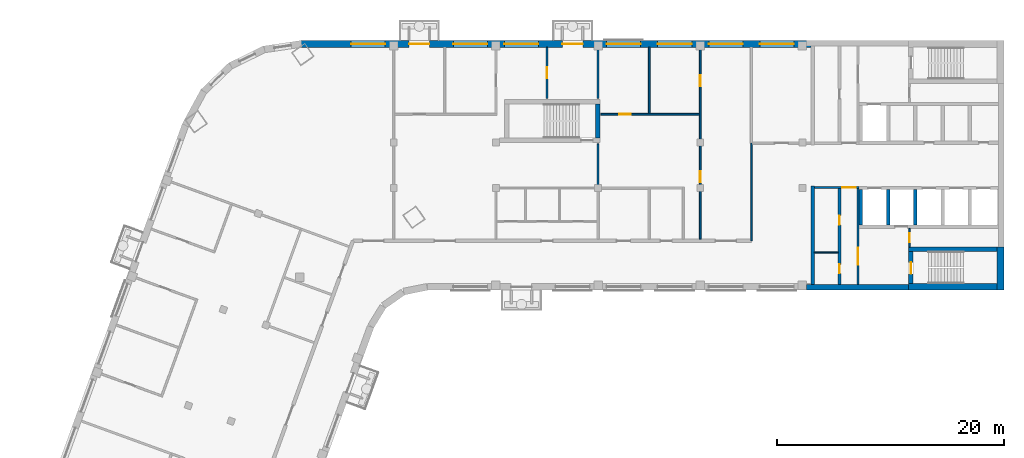
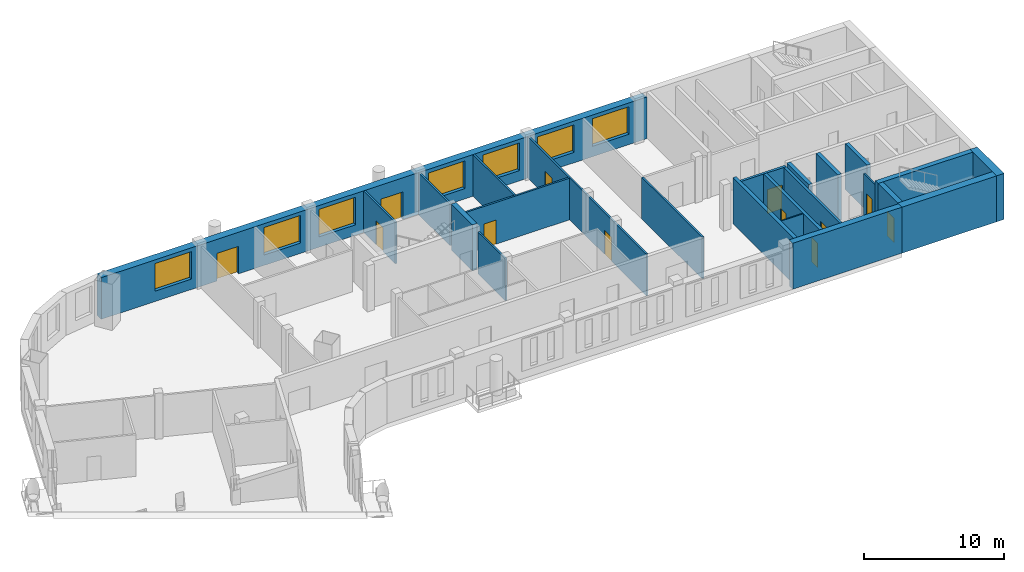
# One storey, part 5 of 10: 23 walls, 12 doors, 7 windows, 19 openings.
"""IFC4 building model written with IfcOpenShell, lengths in metres."""

import ifcopenshell
import ifcopenshell.guid

model = None  # the IFC model being written
_history = None  # IfcOwnerHistory: only IFC2X3 demands one
_inside = {}  # id of a spatial element -> (the spatial element, [elements in it])
_under = {}  # id of a project, library or spatial element -> (it, [spatial elements below it])
_declared = {}  # id of a project -> (the project, [libraries it declares])
_typed = {}  # id of a type object -> (the type object, [elements of that type])
_made_of = {}  # id of a material, layer set ... -> (it, [elements and type objects made of it])


def new_model(schema):
    """Start an empty IFC model of exactly this schema.

    Asked for "IFC4X3", IfcOpenShell would pick the latest addendum, in which some entities
    have other attributes; the version numbers below select the first issue.
    IFC2X3 requires an IfcOwnerHistory on every rooted entity: one is made here for all.
    """
    global model, _history
    if schema == "IFC4X3":
        model = ifcopenshell.file(schema_version=(4, 3, 0, 0))
    else:
        model = ifcopenshell.file(schema=schema)
    _inside.clear()
    _under.clear()
    _declared.clear()
    _typed.clear()
    _made_of.clear()
    _history = None
    if model.schema == "IFC2X3":
        org = make("IfcOrganization", Name="unknown")
        user = make(
            "IfcPersonAndOrganization",
            ThePerson=make("IfcPerson", FamilyName="unknown"),
            TheOrganization=org,
        )
        app = make(
            "IfcApplication",
            ApplicationDeveloper=org,
            Version="unknown",
            ApplicationFullName="unknown",
            ApplicationIdentifier="unknown",
        )
        _history = make(
            "IfcOwnerHistory",
            OwningUser=user,
            OwningApplication=app,
            ChangeAction="ADDED",
            CreationDate=0,
        )
    return model


def make(cls, **values):
    """One entity of the class cls with the attributes given. An attribute that is None is left unset."""
    return model.create_entity(
        cls, **{name: value for name, value in values.items() if value is not None}
    )


def rooted(cls, **values):
    """An entity with a GlobalId (a new one), such as an element, a storey or a relation."""
    return make(cls, GlobalId=ifcopenshell.guid.new(), OwnerHistory=_history, **values)


def si_unit(unit_type, name, prefix=None):
    """IfcSIUnit, for example si_unit("LENGTHUNIT", "METRE", prefix="MILLI")."""
    return make("IfcSIUnit", UnitType=unit_type, Prefix=prefix, Name=name)


def assignment(units):
    """IfcUnitAssignment: the units of a project."""
    return None if units is None else make("IfcUnitAssignment", Units=units)


def point(xyz):
    """IfcCartesianPoint."""
    return None if xyz is None else make("IfcCartesianPoint", Coordinates=xyz)


def direction(xyz):
    """IfcDirection."""
    return None if xyz is None else make("IfcDirection", DirectionRatios=xyz)


def frame(location, z_axis=None, x_axis=None):
    """IfcAxis2Placement3D, a coordinate frame: its origin and axes. An axis left out is left unset."""
    return make(
        "IfcAxis2Placement3D",
        Location=point(location),
        Axis=direction(z_axis),
        RefDirection=direction(x_axis),
    )


def frame_2d(location, x_axis=None):
    """IfcAxis2Placement2D, a coordinate frame in the plane: its origin and x axis."""
    return make(
        "IfcAxis2Placement2D", Location=point(location), RefDirection=direction(x_axis)
    )


def origin():
    """The frame at (0, 0, 0) with its axes left unset."""
    return frame((0.0, 0.0, 0.0))


def place(relative_to, where):
    """IfcLocalPlacement: puts the frame where relative to a parent placement (None: the world)."""
    return make(
        "IfcLocalPlacement", PlacementRelTo=relative_to, RelativePlacement=where
    )


def context(
    kind, dimensions, precision=None, world=None, true_north=None, identifier=None
):
    """IfcGeometricRepresentationContext, for example the 3D "Model" context."""
    return make(
        "IfcGeometricRepresentationContext",
        ContextIdentifier=identifier,
        ContextType=kind,
        CoordinateSpaceDimension=dimensions,
        Precision=precision,
        WorldCoordinateSystem=world,
        TrueNorth=true_north,
    )


def subcontext(parent, identifier, kind, view, scale=None):
    """IfcGeometricRepresentationSubContext, for example "Body" below "Model"."""
    return make(
        "IfcGeometricRepresentationSubContext",
        ContextIdentifier=identifier,
        ContextType=kind,
        ParentContext=parent,
        TargetScale=scale,
        TargetView=view,
    )


def project(units=None, contexts=None):
    """IfcProject with its units and contexts."""
    return rooted(
        "IfcProject",
        Name="project",
        RepresentationContexts=contexts,
        UnitsInContext=assignment(units),
    )


def spatial(cls, under=None, at=None, **own):
    """A site, building, storey or space (cls), placed at a placement, below another one or the project."""
    s = rooted(cls, ObjectPlacement=at, **own)
    if under is not None:
        _under.setdefault(under.id(), (under, []))[1].append(s)
    return s


def profile(cls, at=None, kind="AREA", **sizes):
    """A parametric profile (cls). Its sizes go by their IFC names, for example OverallWidth=200.0."""
    return make(cls, ProfileType=kind, Position=at, **sizes)


def rectangle(**sizes):
    """IfcRectangleProfileDef."""
    return profile("IfcRectangleProfileDef", **sizes)


def extrude(swept, where, along, depth):
    """IfcExtrudedAreaSolid: the profile swept, set in the frame where, extruded along a direction by depth."""
    return make(
        "IfcExtrudedAreaSolid",
        SweptArea=swept,
        Position=where,
        ExtrudedDirection=direction(along),
        Depth=depth,
    )


def shape(context_of_items, identifier, shape_type, items):
    """IfcShapeRepresentation: the items that make up one representation, for example the "Body"."""
    return make(
        "IfcShapeRepresentation",
        ContextOfItems=context_of_items,
        RepresentationIdentifier=identifier,
        RepresentationType=shape_type,
        Items=items,
    )


def material(Name=None, Category=None):
    """IfcMaterial."""
    return make("IfcMaterial", Name=Name, Category=Category)


def layer(
    of_material, thickness, ventilated=None, Name=None, Category=None, Priority=None
):
    """IfcMaterialLayer: one layer of a wall or slab, of a material (None: an air gap)."""
    return make(
        "IfcMaterialLayer",
        Material=of_material,
        LayerThickness=thickness,
        IsVentilated=ventilated,
        Name=Name,
        Category=Category,
        Priority=Priority,
    )


def layer_set(layers, Name=None):
    """IfcMaterialLayerSet."""
    return make("IfcMaterialLayerSet", MaterialLayers=layers, LayerSetName=Name)


def made_of(thing, what):
    """Note that an element or type object is made of a material, layer set ...; save() writes the relation."""
    if what is not None:
        _made_of.setdefault(what.id(), (what, []))[1].append(thing)
    return thing


def type_object(cls, material=None, **own):
    """A type object (cls), such as IfcWallType, which elements share."""
    return made_of(rooted(cls, **own), material)


def element(
    cls,
    number,
    at=None,
    inside=None,
    cuts=None,
    type_object=None,
    material=None,
    context=None,
    identifier="Body",
    shape_type=None,
    held_by="IfcProductDefinitionShape",
    body=None,
    shapes=None,
    **own,
):
    """One element of the class cls, such as IfcWall. Its Tag is "e" and its number.

    at: its placement. inside: the storey or other place that contains it. cuts: it is an
    opening in that element (IfcRelVoidsElement). A single representation is given by context,
    identifier, shape_type and body (its items); several are given by shapes. held_by: the class
    of the entity that holds the representations. save() writes the other relations.
    """
    e = rooted(cls, Tag="e%d" % number, ObjectPlacement=at, **own)
    if body is not None:
        shapes = [shape(context, identifier, shape_type, body)]
    if shapes is not None:
        e.Representation = make(held_by, Representations=shapes)
    if inside is not None:
        _inside.setdefault(inside.id(), (inside, []))[1].append(e)
    if cuts is not None:
        rooted(
            "IfcRelVoidsElement", RelatingBuildingElement=cuts, RelatedOpeningElement=e
        )
    if type_object is not None:
        _typed.setdefault(type_object.id(), (type_object, []))[1].append(e)
    return made_of(e, material)


def fill(opening, filler):
    """IfcRelFillsElement: the door or window that sits in an opening."""
    return rooted(
        "IfcRelFillsElement",
        RelatingOpeningElement=opening,
        RelatedBuildingElement=filler,
    )


def aggregate(whole, parts):
    """IfcRelAggregates: a whole, such as a stair, and the parts it consists of."""
    return rooted("IfcRelAggregates", RelatingObject=whole, RelatedObjects=parts)


def save(model, path):
    """Write the relations noted so far, then the file.

    IfcRelAggregates (storeys below a building ...), IfcRelContainedInSpatialStructure (elements
    in a storey), IfcRelDefinesByType, IfcRelAssociatesMaterial and IfcRelDeclares: one each for
    every whole, place, type object, material and project.
    """
    for whole, parts in _under.values():
        aggregate(whole, parts)
    for where, things in _inside.values():
        rooted(
            "IfcRelContainedInSpatialStructure",
            RelatedElements=things,
            RelatingStructure=where,
        )
    for kind, things in _typed.values():
        rooted("IfcRelDefinesByType", RelatedObjects=things, RelatingType=kind)
    for what, things in _made_of.values():
        rooted("IfcRelAssociatesMaterial", RelatedObjects=things, RelatingMaterial=what)
    for by, libraries in _declared.values():
        rooted("IfcRelDeclares", RelatingContext=by, RelatedDefinitions=libraries)
    model.write(path)


model = new_model("IFC4")

# Units and contexts
model_context = context("Model", 3, precision=1e-05, world=origin(), true_north=direction((0.0, 1.0)))
body_context = subcontext(model_context, "Body", "Model", "MODEL_VIEW")
ifc_project = project(units=[si_unit("LENGTHUNIT", "METRE"), si_unit("AREAUNIT", "SQUARE_METRE"), si_unit("VOLUMEUNIT", "CUBIC_METRE"), si_unit("PLANEANGLEUNIT", "RADIAN"), si_unit("MASSUNIT", "GRAM", prefix="KILO")], contexts=[model_context])

# Site, building, storey
site_placement = place(None, origin())
site = spatial("IfcSite", under=ifc_project, at=site_placement, CompositionType="ELEMENT")
building_placement = place(site_placement, origin())
building = spatial("IfcBuilding", under=site, at=building_placement, Name="Skarvind Civic Tower", CompositionType="ELEMENT")
storey_placement = place(building_placement, frame((0.0, 0.0, 192.0)))
storey = spatial("IfcBuildingStorey", under=building, at=storey_placement, Name="L45", CompositionType="ELEMENT", Elevation=192.0)

# Wall, opening, door
ifc_material_1 = material(Name="Fire-rated masonry partition", Category="masonry")
ifc_layer_1 = layer(ifc_material_1, 0.199951171875)
ifc_layer_set_1 = layer_set([ifc_layer_1], Name="Core enclosure wall 200")
wall_type_1 = type_object("IfcWallType", Name="Core enclosure wall 200", PredefinedType="PARTITIONING", material=ifc_layer_set_1)
wall_1_placement = place(storey_placement, frame((95.25, 126.050048828125, 0.0), z_axis=(0.0, 0.0, 1.0), x_axis=(-1.0, 0.0, 0.0)))
wall_1 = element("IfcWall", 1, at=wall_1_placement, inside=storey, type_object=wall_type_1, Name="Core wall C1", PredefinedType="PARTITIONING", context=body_context, shape_type="SweptSolid", body=[
    extrude(rectangle(XDim=3.949951171875, YDim=0.199951171875, at=frame_2d((1.97509765625, 0.0))), origin(), (0.0, 0.0, 1.0), 3.625),
])
opening_1_placement = place(wall_1_placement, frame((0.300048828125, 0.0, 0.0)))
opening_1 = element("IfcOpeningElement", 2, at=opening_1_placement, cuts=wall_1, Name="Opening D-L45-C1-07", PredefinedType="OPENING", context=body_context, shape_type="SweptSolid", body=[
    extrude(rectangle(XDim=1.199951171875, YDim=2.10009765625, at=frame_2d((0.60009765625, 1.050048828125))), frame((0.0, 0.10986328125, 0.0), z_axis=(0.0, -1.0, 0.0), x_axis=(1.0, 0.0, 0.0)), (0.0, 0.0, 1.0), 0.219970703125),
])
ifc_material_2 = material(Name="Fire-rated steel door", Category="steel")
door_type_1 = type_object("IfcDoorType", Name="Core lobby door 1200", OperationType="NOTDEFINED", PredefinedType="DOOR", material=ifc_material_2)
door_1_placement = place(opening_1_placement, origin())
door_1 = element("IfcDoor", 3, at=door_1_placement, inside=storey, type_object=door_type_1, Name="Fire door", OperationType="DOUBLE_DOOR_SINGLE_SWING", OverallHeight=2.10009765625, OverallWidth=1.199951171875, PredefinedType="DOOR", context=body_context, shape_type="SweptSolid", body=[
    extrude(rectangle(XDim=1.199951171875, YDim=2.10009765625, at=frame_2d((0.60009765625, 1.050048828125))), frame((0.0, 0.02490234375, 0.0), z_axis=(0.0, -1.0, 0.0), x_axis=(1.0, 0.0, 0.0)), (0.0, 0.0, 1.0), 0.050048828125),
])
fill(opening_1, door_1)

wall_2_placement = place(storey_placement, frame((95.14990234375, 117.5, 0.0), z_axis=(0.0, 0.0, 1.0), x_axis=(0.0, 1.0, 0.0)))
wall_2 = element("IfcWall", 4, at=wall_2_placement, inside=storey, type_object=wall_type_1, Name="Core wall C1", PredefinedType="PARTITIONING", context=body_context, shape_type="SweptSolid", body=[
    extrude(rectangle(XDim=8.449951171875, YDim=0.199951171875, at=frame_2d((4.22509765625, 0.0))), origin(), (0.0, 0.0, 1.0), 3.625),
])
opening_2_placement = place(wall_2_placement, frame((1.72509765625, 0.0, 0.0)))
opening_2 = element("IfcOpeningElement", 5, at=opening_2_placement, cuts=wall_2, Name="Opening D-L45-C1-08", PredefinedType="OPENING", context=body_context, shape_type="SweptSolid", body=[
    extrude(rectangle(XDim=1.5, YDim=2.10009765625, at=frame_2d((0.75, 1.050048828125))), frame((0.0, 0.10986328125, 0.0), z_axis=(0.0, -1.0, 0.0), x_axis=(1.0, 0.0, 0.0)), (0.0, 0.0, 1.0), 0.219970703125),
])
door_type_2 = type_object("IfcDoorType", Name="Fire door 1500", OperationType="NOTDEFINED", PredefinedType="DOOR", material=ifc_material_2)
door_2_placement = place(opening_2_placement, origin())
door_2 = element("IfcDoor", 6, at=door_2_placement, inside=storey, type_object=door_type_2, Name="Fire door", OperationType="DOUBLE_DOOR_SINGLE_SWING", OverallHeight=2.10009765625, OverallWidth=1.5, PredefinedType="DOOR", context=body_context, shape_type="SweptSolid", body=[
    extrude(rectangle(XDim=1.5, YDim=2.10009765625, at=frame_2d((0.75, 1.050048828125))), frame((0.0, 0.02490234375, 0.0), z_axis=(0.0, -1.0, 0.0), x_axis=(1.0, 0.0, 0.0)), (0.0, 0.0, 1.0), 0.050048828125),
])
fill(opening_2, door_2)

# Walls
ifc_material_3 = material(Name="Fire-rated plasterboard partition")
ifc_layer_2 = layer(ifc_material_3, 0.10009765625)
ifc_layer_set_2 = layer_set([ifc_layer_2], Name="Core partition wall 100")
wall_type_2 = type_object("IfcWallType", Name="Core partition wall 100", PredefinedType="PARTITIONING", material=ifc_layer_set_2)
wall_3_placement = place(storey_placement, frame((93.39990234375, 120.320068359375, 0.0), z_axis=(0.0, 0.0, 1.0), x_axis=(-1.0, 0.0, 0.0)))
element("IfcWall", 7, at=wall_3_placement, inside=storey, type_object=wall_type_2, Name="Core wall C1", PredefinedType="PARTITIONING", context=body_context, shape_type="SweptSolid", body=[
    extrude(rectangle(XDim=2.099853515625, YDim=0.10009765625, at=frame_2d((1.0498046875, 0.0))), origin(), (0.0, 0.0, 1.0), 3.625),
])
ifc_material_4 = material(Name="Concrete C60", Category="concrete")
ifc_layer_3 = layer(ifc_material_4, 0.300048828125)
ifc_layer_set_3 = layer_set([ifc_layer_3], Name="Core wall 300 C60")
wall_type_3 = type_object("IfcWallType", Name="Core wall 300 C60", PredefinedType="SHEAR", material=ifc_layer_set_3)
for number, where, z_axis, x_axis, name in (
    (8, (100.199951171875, 125.85009765625, 0.0), (0.0, 0.0, 1.0), (0.0, -1.0, 0.0), "Core wall C1 north lift row division 3 L45"),
    (9, (97.800048828125, 125.85009765625, 0.0), (0.0, 0.0, 1.0), (0.0, -1.0, 0.0), "Core wall C1 north lift row division 4 L45"),
    (10, (95.39990234375, 125.85009765625, 0.0), (0.0, 0.0, 1.0), (0.0, -1.0, 0.0), "Core wall C1 north lift row division 5 L45"),
):
    element("IfcWall", number, at=place(storey_placement, frame(where, z_axis=z_axis, x_axis=x_axis)), inside=storey, type_object=wall_type_3, Name=name, PredefinedType="SHEAR", context=body_context, shape_type="SweptSolid", body=[
        extrude(rectangle(XDim=3.10009765625, YDim=0.300048828125, at=frame_2d((1.550048828125, 0.0))), origin(), (0.0, 0.0, 1.0), 4.0),
    ])
wall_4_placement = place(storey_placement, frame((91.14990234375, 126.199951171875, 0.0), z_axis=(0.0, 0.0, 1.0), x_axis=(0.0, -1.0, 0.0)))
element("IfcWall", 11, at=wall_4_placement, inside=storey, type_object=wall_type_3, Name="Core wall C1 north inner face L45", PredefinedType="SHEAR", context=body_context, shape_type="SweptSolid", body=[
    extrude(rectangle(XDim=8.699951171875, YDim=0.300048828125, at=frame_2d((4.35009765625, 0.0))), origin(), (0.0, 0.0, 1.0), 4.0),
])
ifc_layer_4 = layer(ifc_material_4, 0.39990234375)
ifc_layer_set_4 = layer_set([ifc_layer_4], Name="Core wall 400 C60")
wall_type_4 = type_object("IfcWallType", Name="Core wall 400 C60", PredefinedType="SHEAR", material=ifc_layer_set_4)
wall_5_placement = place(storey_placement, frame((107.39990234375, 120.60009765625, 0.0), z_axis=(0.0, 0.0, 1.0), x_axis=(-1.0, 0.0, 0.0)))
element("IfcWall", 12, at=wall_5_placement, inside=storey, type_object=wall_type_4, Name="Core wall C1 north stair inner L45", PredefinedType="SHEAR", context=body_context, shape_type="SweptSolid", body=[
    extrude(rectangle(XDim=7.7998046875, YDim=0.39990234375, at=frame_2d((3.89990234375, 0.0))), origin(), (0.0, 0.0, 1.0), 4.0),
])

# Wall, opening, door
wall_6_placement = place(storey_placement, frame((99.800048828125, 120.39990234375, 0.0), z_axis=(0.0, 0.0, 1.0), x_axis=(0.0, -1.0, 0.0)))
wall_6 = element("IfcWall", 13, at=wall_6_placement, inside=storey, type_object=wall_type_4, Name="Core wall C1 north stair end L45", PredefinedType="SHEAR", context=body_context, shape_type="SweptSolid", body=[
    extrude(rectangle(XDim=2.7998046875, YDim=0.39990234375, at=frame_2d((1.39990234375, 0.0))), origin(), (0.0, 0.0, 1.0), 4.0),
])
opening_3_placement = place(wall_6_placement, frame((0.949951171875, 0.0, 0.0)))
opening_3 = element("IfcOpeningElement", 14, at=opening_3_placement, cuts=wall_6, Name="Opening D-L45-C1-09", PredefinedType="OPENING", context=body_context, shape_type="SweptSolid", body=[
    extrude(rectangle(XDim=1.0, YDim=2.10009765625, at=frame_2d((0.5, 1.050048828125))), frame((0.0, 0.2099609375, 0.0), z_axis=(0.0, -1.0, 0.0), x_axis=(1.0, 0.0, 0.0)), (0.0, 0.0, 1.0), 0.419921875),
])
door_type_3 = type_object("IfcDoorType", Name="Fire door 1000", OperationType="NOTDEFINED", PredefinedType="DOOR", material=ifc_material_2)
door_3_placement = place(opening_3_placement, origin())
door_3 = element("IfcDoor", 15, at=door_3_placement, inside=storey, type_object=door_type_3, Name="Fire door", OperationType="SINGLE_SWING_LEFT", OverallHeight=2.10009765625, OverallWidth=1.0, PredefinedType="DOOR", context=body_context, shape_type="SweptSolid", body=[
    extrude(rectangle(XDim=1.0, YDim=2.10009765625, at=frame_2d((0.5, 1.050048828125))), frame((0.0, 0.02490234375, 0.0), z_axis=(0.0, -1.0, 0.0), x_axis=(1.0, 0.0, 0.0)), (0.0, 0.0, 1.0), 0.050048828125),
])
fill(opening_3, door_3)

# Walls
wall_7_placement = place(storey_placement, frame((72.199951171875, 130.39990234375, 0.0), z_axis=(0.0, 0.0, 1.0), x_axis=(0.0, 1.0, 0.0)))
element("IfcWall", 16, at=wall_7_placement, inside=storey, type_object=wall_type_4, Name="Core wall CM end L45", PredefinedType="SHEAR", context=body_context, shape_type="SweptSolid", body=[
    extrude(rectangle(XDim=3.0, YDim=0.39990234375, at=frame_2d((1.5, 0.0))), origin(), (0.0, 0.0, 1.0), 4.0),
])
ifc_layer_5 = layer(ifc_material_4, 0.5)
ifc_layer_set_5 = layer_set([ifc_layer_5], Name="Core wall 500 C60")
wall_type_5 = type_object("IfcWallType", Name="Core wall 500 C60", PredefinedType="SHEAR", material=ifc_layer_set_5)
wall_8_placement = place(storey_placement, frame((99.60009765625, 117.25, 0.0), z_axis=(0.0, 0.0, 1.0), x_axis=(-1.0, 0.0, 0.0)))
element("IfcWall", 17, at=wall_8_placement, inside=storey, type_object=wall_type_5, Name="Core wall C1 north side L45", PredefinedType="SHEAR", context=body_context, shape_type="SweptSolid", body=[
    extrude(rectangle(XDim=8.97509765625, YDim=0.5, at=frame_2d((4.487548828125, 0.0))), origin(), (0.0, 0.0, 1.0), 4.0),
])
ifc_layer_6 = layer(ifc_material_4, 0.60009765625)
ifc_layer_set_6 = layer_set([ifc_layer_6], Name="Core wall 600 C60")
wall_type_6 = type_object("IfcWallType", Name="Core wall 600 C60", PredefinedType="SHEAR", material=ifc_layer_set_6)
wall_9_placement = place(storey_placement, frame((107.699951171875, 120.800048828125, 0.0), z_axis=(0.0, 0.0, 1.0), x_axis=(0.0, -1.0, 0.0)))
element("IfcWall", 18, at=wall_9_placement, inside=storey, type_object=wall_type_6, Name="Core wall C1 tip at the north stair L45", PredefinedType="SHEAR", context=body_context, shape_type="SweptSolid", body=[
    extrude(rectangle(XDim=3.800048828125, YDim=0.60009765625, at=frame_2d((1.89990234375, 0.0))), origin(), (0.0, 0.0, 1.0), 4.0),
])
wall_10_placement = place(storey_placement, frame((107.39990234375, 117.300048828125, 0.0), z_axis=(0.0, 0.0, 1.0), x_axis=(-1.0, 0.0, 0.0)))
element("IfcWall", 19, at=wall_10_placement, inside=storey, type_object=wall_type_6, Name="Core wall C1 north side at the stair L45", PredefinedType="SHEAR", context=body_context, shape_type="SweptSolid", body=[
    extrude(rectangle(XDim=7.7998046875, YDim=0.60009765625, at=frame_2d((3.89990234375, 0.0))), origin(), (0.0, 0.0, 1.0), 4.0),
])

# Wall, opening, door
ifc_material_5 = material(Name="Plasterboard partition on steel studs", Category="steel")
ifc_layer_7 = layer(ifc_material_5, 0.14990234375)
ifc_layer_set_7 = layer_set([ifc_layer_7], Name="PARTITION 150")
wall_type_7 = type_object("IfcWallType", Name="PARTITION 150", PredefinedType="PARTITIONING", material=ifc_layer_set_7)
wall_11_placement = place(storey_placement, frame((67.75, 133.89990234375, 0.0), z_axis=(0.0, 0.0, 1.0), x_axis=(0.0, 1.0, 0.0)))
wall_11 = element("IfcWall", 20, at=wall_11_placement, inside=storey, type_object=wall_type_7, Name="Partition 45.025", PredefinedType="PARTITIONING", context=body_context, shape_type="SweptSolid", body=[
    extrude(rectangle(XDim=4.5, YDim=0.14990234375, at=frame_2d((2.25, 0.0))), origin(), (0.0, 0.0, 1.0), 3.625),
])
opening_4_placement = place(wall_11_placement, frame((1.75, 0.0, 0.0)))
opening_4 = element("IfcOpeningElement", 21, at=opening_4_placement, cuts=wall_11, Name="Opening L45-D011", PredefinedType="OPENING", context=body_context, shape_type="SweptSolid", body=[
    extrude(rectangle(XDim=1.0, YDim=2.10009765625, at=frame_2d((0.5, 1.050048828125))), frame((0.0, 0.0849609375, 0.0), z_axis=(0.0, -1.0, 0.0), x_axis=(1.0, 0.0, 0.0)), (0.0, 0.0, 1.0), 0.169921875),
])
ifc_material_6 = material(Name="Timber door leaf", Category="wood")
door_type_4 = type_object("IfcDoorType", Name="D1 1000x2100", OperationType="NOTDEFINED", PredefinedType="DOOR", material=ifc_material_6)
door_4_placement = place(opening_4_placement, origin())
door_4 = element("IfcDoor", 22, at=door_4_placement, inside=storey, type_object=door_type_4, Name="Door L45-D011", OperationType="SINGLE_SWING_LEFT", OverallHeight=2.10009765625, OverallWidth=1.0, PredefinedType="DOOR", context=body_context, shape_type="SweptSolid", body=[
    extrude(rectangle(XDim=1.0, YDim=2.10009765625, at=frame_2d((0.5, 1.050048828125))), frame((0.0, 0.02490234375, 0.0), z_axis=(0.0, -1.0, 0.0), x_axis=(1.0, 0.0, 0.0)), (0.0, 0.0, 1.0), 0.050048828125),
])
fill(opening_4, door_4)

# Walls
wall_12_placement = place(storey_placement, frame((72.25, 126.0, 0.0), z_axis=(0.0, 0.0, 1.0), x_axis=(0.0, 1.0, 0.0)))
element("IfcWall", 23, at=wall_12_placement, inside=storey, type_object=wall_type_7, Name="Partition 45.028", PredefinedType="PARTITIONING", context=body_context, shape_type="SweptSolid", body=[
    extrude(rectangle(XDim=3.89990234375, YDim=0.14990234375, at=frame_2d((1.949951171875, 0.0))), origin(), (0.0, 0.0, 1.0), 3.625),
])
wall_13_placement = place(storey_placement, frame((72.25, 133.89990234375, 0.0), z_axis=(0.0, 0.0, 1.0), x_axis=(0.0, 1.0, 0.0)))
element("IfcWall", 24, at=wall_13_placement, inside=storey, type_object=wall_type_7, Name="Partition 45.030", PredefinedType="PARTITIONING", context=body_context, shape_type="SweptSolid", body=[
    extrude(rectangle(XDim=4.5, YDim=0.14990234375, at=frame_2d((2.25, 0.0))), origin(), (0.0, 0.0, 1.0), 3.625),
])

# Wall, opening, door
wall_14_placement = place(storey_placement, frame((81.175048828125, 132.5, 0.0), z_axis=(0.0, 0.0, 1.0), x_axis=(-1.0, 0.0, 0.0)))
wall_14 = element("IfcWall", 25, at=wall_14_placement, inside=storey, type_object=wall_type_7, Name="Partition 45.031", PredefinedType="PARTITIONING", context=body_context, shape_type="SweptSolid", body=[
    extrude(rectangle(XDim=8.675048828125, YDim=0.14990234375, at=frame_2d((4.33740234375, 0.0))), origin(), (0.0, 0.0, 1.0), 3.625),
])
opening_5_placement = place(wall_14_placement, frame((6.050048828125, 0.0, 0.0)))
opening_5 = element("IfcOpeningElement", 26, at=opening_5_placement, cuts=wall_14, Name="Opening L45-D005", PredefinedType="OPENING", context=body_context, shape_type="SweptSolid", body=[
    extrude(rectangle(XDim=1.0, YDim=2.10009765625, at=frame_2d((0.5, 1.050048828125))), frame((0.0, 0.0849609375, 0.0), z_axis=(0.0, -1.0, 0.0), x_axis=(1.0, 0.0, 0.0)), (0.0, 0.0, 1.0), 0.169921875),
])
door_5_placement = place(opening_5_placement, origin())
door_5 = element("IfcDoor", 27, at=door_5_placement, inside=storey, type_object=door_type_4, Name="Door L45-D005", OperationType="SINGLE_SWING_RIGHT", OverallHeight=2.10009765625, OverallWidth=1.0, PredefinedType="DOOR", context=body_context, shape_type="SweptSolid", body=[
    extrude(rectangle(XDim=1.0, YDim=2.10009765625, at=frame_2d((0.5, 1.050048828125))), frame((0.0, 0.02490234375, 0.0), z_axis=(0.0, -1.0, 0.0), x_axis=(1.0, 0.0, 0.0)), (0.0, 0.0, 1.0), 0.050048828125),
])
fill(opening_5, door_5)

# Wall
wall_15_placement = place(storey_placement, frame((76.75, 132.574951171875, 0.0), z_axis=(0.0, 0.0, 1.0), x_axis=(0.0, 1.0, 0.0)))
element("IfcWall", 28, at=wall_15_placement, inside=storey, type_object=wall_type_7, Name="Partition 45.033", PredefinedType="PARTITIONING", context=body_context, shape_type="SweptSolid", body=[
    extrude(rectangle(XDim=5.824951171875, YDim=0.14990234375, at=frame_2d((2.91259765625, 0.0))), origin(), (0.0, 0.0, 1.0), 3.625),
])

# Wall, openings, doors
wall_16_placement = place(storey_placement, frame((81.25, 138.39990234375, 0.0), z_axis=(0.0, 0.0, 1.0), x_axis=(0.0, -1.0, 0.0)))
wall_16 = element("IfcWall", 29, at=wall_16_placement, inside=storey, type_object=wall_type_7, Name="Partition 45.036", PredefinedType="PARTITIONING", context=body_context, shape_type="SweptSolid", body=[
    extrude(rectangle(XDim=16.89990234375, YDim=0.14990234375, at=frame_2d((8.449951171875, 0.0))), origin(), (0.0, 0.0, 1.0), 3.625),
])
opening_6_placement = place(wall_16_placement, frame((2.449951171875, 0.0, 0.0)))
opening_6 = element("IfcOpeningElement", 30, at=opening_6_placement, cuts=wall_16, Name="Opening L45-D004", PredefinedType="OPENING", context=body_context, shape_type="SweptSolid", body=[
    extrude(rectangle(XDim=1.0, YDim=2.10009765625, at=frame_2d((0.5, 1.050048828125))), frame((0.0, 0.0849609375, 0.0), z_axis=(0.0, -1.0, 0.0), x_axis=(1.0, 0.0, 0.0)), (0.0, 0.0, 1.0), 0.169921875),
])
opening_7_placement = place(wall_16_placement, frame((10.909912109375, 0.0, 0.0)))
opening_7 = element("IfcOpeningElement", 31, at=opening_7_placement, cuts=wall_16, Name="Opening L45-D023", PredefinedType="OPENING", context=body_context, shape_type="SweptSolid", body=[
    extrude(rectangle(XDim=1.0, YDim=2.10009765625, at=frame_2d((0.5, 1.050048828125))), frame((0.0, 0.0849609375, 0.0), z_axis=(0.0, -1.0, 0.0), x_axis=(1.0, 0.0, 0.0)), (0.0, 0.0, 1.0), 0.169921875),
])
door_6_placement = place(opening_6_placement, origin())
door_6 = element("IfcDoor", 32, at=door_6_placement, inside=storey, type_object=door_type_4, Name="Door L45-D004", OperationType="SINGLE_SWING_LEFT", OverallHeight=2.10009765625, OverallWidth=1.0, PredefinedType="DOOR", context=body_context, shape_type="SweptSolid", body=[
    extrude(rectangle(XDim=1.0, YDim=2.10009765625, at=frame_2d((0.5, 1.050048828125))), frame((0.0, 0.02490234375, 0.0), z_axis=(0.0, -1.0, 0.0), x_axis=(1.0, 0.0, 0.0)), (0.0, 0.0, 1.0), 0.050048828125),
])
fill(opening_6, door_6)
door_7_placement = place(opening_7_placement, origin())
door_7 = element("IfcDoor", 33, at=door_7_placement, inside=storey, type_object=door_type_4, Name="Door L45-D023", OperationType="SINGLE_SWING_RIGHT", OverallHeight=2.10009765625, OverallWidth=1.0, PredefinedType="DOOR", context=body_context, shape_type="SweptSolid", body=[
    extrude(rectangle(XDim=1.0, YDim=2.10009765625, at=frame_2d((0.5, 1.050048828125))), frame((0.0, 0.02490234375, 0.0), z_axis=(0.0, -1.0, 0.0), x_axis=(1.0, 0.0, 0.0)), (0.0, 0.0, 1.0), 0.050048828125),
])
fill(opening_7, door_7)

# Wall
wall_17_placement = place(storey_placement, frame((85.75, 121.35009765625, 0.0), z_axis=(0.0, 0.0, 1.0), x_axis=(0.0, 1.0, 0.0)))
element("IfcWall", 34, at=wall_17_placement, inside=storey, type_object=wall_type_7, Name="Partition 45.037", PredefinedType="PARTITIONING", context=body_context, shape_type="SweptSolid", body=[
    extrude(rectangle(XDim=8.599853515625, YDim=0.14990234375, at=frame_2d((4.2998046875, 0.0))), origin(), (0.0, 0.0, 1.0), 3.625),
])

# Wall, opening, door
ifc_layer_8 = layer(ifc_material_1, 0.125)
ifc_layer_set_8 = layer_set([ifc_layer_8], Name="Riser wall 125")
wall_type_8 = type_object("IfcWallType", Name="Riser wall 125", PredefinedType="PARTITIONING", material=ifc_layer_set_8)
wall_18_placement = place(storey_placement, frame((99.66259765625, 120.800048828125, 0.0), z_axis=(0.0, 0.0, 1.0), x_axis=(0.0, 1.0, 0.0)))
wall_18 = element("IfcWall", 35, at=wall_18_placement, inside=storey, type_object=wall_type_8, Name="Core wall C1", PredefinedType="PARTITIONING", context=body_context, shape_type="SweptSolid", body=[
    extrude(rectangle(XDim=1.64990234375, YDim=0.125, at=frame_2d((0.824951171875, 0.0))), origin(), (0.0, 0.0, 1.0), 3.625),
])
opening_8_placement = place(wall_18_placement, frame((0.425048828125, 0.0, 0.0)))
opening_8 = element("IfcOpeningElement", 36, at=opening_8_placement, cuts=wall_18, Name="Opening D-L45-C1-10", PredefinedType="OPENING", context=body_context, shape_type="SweptSolid", body=[
    extrude(rectangle(XDim=0.800048828125, YDim=2.10009765625, at=frame_2d((0.39990234375, 1.050048828125))), frame((0.0, 0.072509765625, 0.0), z_axis=(0.0, -1.0, 0.0), x_axis=(1.0, 0.0, 0.0)), (0.0, 0.0, 1.0), 0.14501953125),
])
door_type_5 = type_object("IfcDoorType", Name="Core riser door 800", OperationType="NOTDEFINED", PredefinedType="DOOR", material=ifc_material_2)
door_8_placement = place(opening_8_placement, origin())
door_8 = element("IfcDoor", 37, at=door_8_placement, inside=storey, type_object=door_type_5, Name="Riser door", OperationType="SINGLE_SWING_RIGHT", OverallHeight=2.10009765625, OverallWidth=0.800048828125, PredefinedType="DOOR", context=body_context, shape_type="SweptSolid", body=[
    extrude(rectangle(XDim=0.800048828125, YDim=2.10009765625, at=frame_2d((0.39990234375, 1.050048828125))), frame((0.0, 0.02490234375, 0.0), z_axis=(0.0, -1.0, 0.0), x_axis=(1.0, 0.0, 0.0)), (0.0, 0.0, 1.0), 0.050048828125),
])
fill(opening_8, door_8)

# Wall, openings, doors
ifc_layer_9 = layer(ifc_material_1, 0.25)
ifc_layer_set_9 = layer_set([ifc_layer_9], Name="Service block wall 250")
wall_type_9 = type_object("IfcWallType", Name="Service block wall 250", PredefinedType="PARTITIONING", material=ifc_layer_set_9)
wall_19_placement = place(storey_placement, frame((93.52490234375, 117.5, 0.0), z_axis=(0.0, 0.0, 1.0), x_axis=(0.0, 1.0, 0.0)))
wall_19 = element("IfcWall", 38, at=wall_19_placement, inside=storey, type_object=wall_type_9, Name="Core wall C1", PredefinedType="PARTITIONING", context=body_context, shape_type="SweptSolid", body=[
    extrude(rectangle(XDim=8.449951171875, YDim=0.25, at=frame_2d((4.22509765625, 0.0))), origin(), (0.0, 0.0, 1.0), 3.625),
])
opening_9_placement = place(wall_19_placement, frame((5.260009765625, 0.0, 0.0)))
opening_9 = element("IfcOpeningElement", 39, at=opening_9_placement, cuts=wall_19, Name="Opening D-L45-C1-11", PredefinedType="OPENING", context=body_context, shape_type="SweptSolid", body=[
    extrude(rectangle(XDim=0.800048828125, YDim=2.10009765625, at=frame_2d((0.39990234375, 1.050048828125))), frame((0.0, 0.135009765625, 0.0), z_axis=(0.0, -1.0, 0.0), x_axis=(1.0, 0.0, 0.0)), (0.0, 0.0, 1.0), 0.27001953125),
])
opening_10_placement = place(wall_19_placement, frame((0.985107421875, 0.0, 0.0)))
opening_10 = element("IfcOpeningElement", 40, at=opening_10_placement, cuts=wall_19, Name="Opening D-L45-C1-12", PredefinedType="OPENING", context=body_context, shape_type="SweptSolid", body=[
    extrude(rectangle(XDim=0.800048828125, YDim=2.10009765625, at=frame_2d((0.39990234375, 1.050048828125))), frame((0.0, 0.135009765625, 0.0), z_axis=(0.0, -1.0, 0.0), x_axis=(1.0, 0.0, 0.0)), (0.0, 0.0, 1.0), 0.27001953125),
])
door_9_placement = place(opening_9_placement, origin())
door_9 = element("IfcDoor", 41, at=door_9_placement, inside=storey, type_object=door_type_5, Name="Riser door", OperationType="SINGLE_SWING_LEFT", OverallHeight=2.10009765625, OverallWidth=0.800048828125, PredefinedType="DOOR", context=body_context, shape_type="SweptSolid", body=[
    extrude(rectangle(XDim=0.800048828125, YDim=2.10009765625, at=frame_2d((0.39990234375, 1.050048828125))), frame((0.0, 0.02490234375, 0.0), z_axis=(0.0, -1.0, 0.0), x_axis=(1.0, 0.0, 0.0)), (0.0, 0.0, 1.0), 0.050048828125),
])
fill(opening_9, door_9)
door_10_placement = place(opening_10_placement, origin())
door_10 = element("IfcDoor", 42, at=door_10_placement, inside=storey, type_object=door_type_5, Name="Riser door", OperationType="SINGLE_SWING_RIGHT", OverallHeight=2.10009765625, OverallWidth=0.800048828125, PredefinedType="DOOR", context=body_context, shape_type="SweptSolid", body=[
    extrude(rectangle(XDim=0.800048828125, YDim=2.10009765625, at=frame_2d((0.39990234375, 1.050048828125))), frame((0.0, 0.02490234375, 0.0), z_axis=(0.0, -1.0, 0.0), x_axis=(1.0, 0.0, 0.0)), (0.0, 0.0, 1.0), 0.050048828125),
])
fill(opening_10, door_10)

# Wall, openings, doors, windows
ifc_material_7 = material(Name="Limestone masonry cladding on insulated backing", Category="masonry")
ifc_layer_10 = layer(ifc_material_7, 0.60009765625)
ifc_layer_set_10 = layer_set([ifc_layer_10], Name="WX1 STONE FACADE WALL 600")
wall_type_10 = type_object("IfcWallType", Name="WX1 STONE FACADE WALL 600", PredefinedType="SOLIDWALL", material=ifc_layer_set_10)
wall_20_placement = place(storey_placement, frame((46.095458984375, 138.699951171875, 0.0), z_axis=(0.0, 0.0, 1.0), x_axis=(1.0, 0.0, 0.0)))
wall_20 = element("IfcWall", 43, at=wall_20_placement, inside=storey, type_object=wall_type_10, Name="STONE FACADE WALL", PredefinedType="SOLIDWALL", context=body_context, shape_type="SweptSolid", body=[
    extrude(rectangle(XDim=44.884521484375, YDim=0.60009765625, at=frame_2d((22.4423828125, 0.0))), origin(), (0.0, 0.0, 1.0), 3.625),
])
opening_11_placement = place(wall_20_placement, frame((4.404541015625, 0.0, 0.89990234375)))
opening_11 = element("IfcOpeningElement", 44, at=opening_11_placement, cuts=wall_20, Name="Opening WN1", PredefinedType="OPENING", context=body_context, shape_type="SweptSolid", body=[
    extrude(rectangle(XDim=3.0, YDim=2.39990234375, at=frame_2d((1.5, 1.199951171875))), frame((0.0, 0.31005859375, 0.0), z_axis=(0.0, -1.0, 0.0), x_axis=(1.0, 0.0, 0.0)), (0.0, 0.0, 1.0), 0.6201171875),
])
opening_12_placement = place(wall_20_placement, frame((9.50439453125, 0.0, 0.0)))
opening_12 = element("IfcOpeningElement", 45, at=opening_12_placement, cuts=wall_20, Name="Opening DX3", PredefinedType="OPENING", context=body_context, shape_type="SweptSolid", body=[
    extrude(rectangle(XDim=1.800048828125, YDim=2.39990234375, at=frame_2d((0.89990234375, 1.199951171875))), frame((0.0, 0.31005859375, 0.0), z_axis=(0.0, -1.0, 0.0), x_axis=(1.0, 0.0, 0.0)), (0.0, 0.0, 1.0), 0.6201171875),
])
opening_13_placement = place(wall_20_placement, frame((13.404541015625, 0.0, 0.89990234375)))
opening_13 = element("IfcOpeningElement", 46, at=opening_13_placement, cuts=wall_20, Name="Opening WN1", PredefinedType="OPENING", context=body_context, shape_type="SweptSolid", body=[
    extrude(rectangle(XDim=3.0, YDim=2.39990234375, at=frame_2d((1.5, 1.199951171875))), frame((0.0, 0.31005859375, 0.0), z_axis=(0.0, -1.0, 0.0), x_axis=(1.0, 0.0, 0.0)), (0.0, 0.0, 1.0), 0.6201171875),
])
opening_14_placement = place(wall_20_placement, frame((17.904541015625, 0.0, 0.89990234375)))
opening_14 = element("IfcOpeningElement", 47, at=opening_14_placement, cuts=wall_20, Name="Opening WN1", PredefinedType="OPENING", context=body_context, shape_type="SweptSolid", body=[
    extrude(rectangle(XDim=3.0, YDim=2.39990234375, at=frame_2d((1.5, 1.199951171875))), frame((0.0, 0.31005859375, 0.0), z_axis=(0.0, -1.0, 0.0), x_axis=(1.0, 0.0, 0.0)), (0.0, 0.0, 1.0), 0.6201171875),
])
opening_15_placement = place(wall_20_placement, frame((23.00439453125, 0.0, 0.0)))
opening_15 = element("IfcOpeningElement", 48, at=opening_15_placement, cuts=wall_20, Name="Opening DX3", PredefinedType="OPENING", context=body_context, shape_type="SweptSolid", body=[
    extrude(rectangle(XDim=1.800048828125, YDim=2.39990234375, at=frame_2d((0.89990234375, 1.199951171875))), frame((0.0, 0.31005859375, 0.0), z_axis=(0.0, -1.0, 0.0), x_axis=(1.0, 0.0, 0.0)), (0.0, 0.0, 1.0), 0.6201171875),
])
opening_16_placement = place(wall_20_placement, frame((26.904541015625, 0.0, 0.89990234375)))
opening_16 = element("IfcOpeningElement", 49, at=opening_16_placement, cuts=wall_20, Name="Opening WN1", PredefinedType="OPENING", context=body_context, shape_type="SweptSolid", body=[
    extrude(rectangle(XDim=3.0, YDim=2.39990234375, at=frame_2d((1.5, 1.199951171875))), frame((0.0, 0.31005859375, 0.0), z_axis=(0.0, -1.0, 0.0), x_axis=(1.0, 0.0, 0.0)), (0.0, 0.0, 1.0), 0.6201171875),
])
opening_17_placement = place(wall_20_placement, frame((31.404541015625, 0.0, 0.89990234375)))
opening_17 = element("IfcOpeningElement", 50, at=opening_17_placement, cuts=wall_20, Name="Opening WN1", PredefinedType="OPENING", context=body_context, shape_type="SweptSolid", body=[
    extrude(rectangle(XDim=3.0, YDim=2.39990234375, at=frame_2d((1.5, 1.199951171875))), frame((0.0, 0.31005859375, 0.0), z_axis=(0.0, -1.0, 0.0), x_axis=(1.0, 0.0, 0.0)), (0.0, 0.0, 1.0), 0.6201171875),
])
opening_18_placement = place(wall_20_placement, frame((35.904541015625, 0.0, 0.89990234375)))
opening_18 = element("IfcOpeningElement", 51, at=opening_18_placement, cuts=wall_20, Name="Opening WN1", PredefinedType="OPENING", context=body_context, shape_type="SweptSolid", body=[
    extrude(rectangle(XDim=3.0, YDim=2.39990234375, at=frame_2d((1.5, 1.199951171875))), frame((0.0, 0.31005859375, 0.0), z_axis=(0.0, -1.0, 0.0), x_axis=(1.0, 0.0, 0.0)), (0.0, 0.0, 1.0), 0.6201171875),
])
opening_19_placement = place(wall_20_placement, frame((40.404541015625, 0.0, 0.89990234375)))
opening_19 = element("IfcOpeningElement", 52, at=opening_19_placement, cuts=wall_20, Name="Opening WN1", PredefinedType="OPENING", context=body_context, shape_type="SweptSolid", body=[
    extrude(rectangle(XDim=3.0, YDim=2.39990234375, at=frame_2d((1.5, 1.199951171875))), frame((0.0, 0.31005859375, 0.0), z_axis=(0.0, -1.0, 0.0), x_axis=(1.0, 0.0, 0.0)), (0.0, 0.0, 1.0), 0.6201171875),
])
ifc_material_8 = material(Name="Timber and glass doorset", Category="wood")
door_type_6 = type_object("IfcDoorType", Name="DX3 TERRACE DOORS 1800 x 2400", OperationType="NOTDEFINED", PredefinedType="DOOR", material=ifc_material_8)
door_11_placement = place(opening_12_placement, origin())
door_11 = element("IfcDoor", 53, at=door_11_placement, inside=storey, type_object=door_type_6, Name="TERRACE DOORS", OperationType="DOUBLE_DOOR_SINGLE_SWING", OverallHeight=2.39990234375, OverallWidth=1.800048828125, PredefinedType="DOOR", context=body_context, shape_type="SweptSolid", body=[
    extrude(rectangle(XDim=1.800048828125, YDim=2.39990234375, at=frame_2d((0.89990234375, 1.199951171875))), frame((0.0, 0.02490234375, 0.0), z_axis=(0.0, -1.0, 0.0), x_axis=(1.0, 0.0, 0.0)), (0.0, 0.0, 1.0), 0.050048828125),
])
fill(opening_12, door_11)
door_12_placement = place(opening_15_placement, origin())
door_12 = element("IfcDoor", 54, at=door_12_placement, inside=storey, type_object=door_type_6, Name="TERRACE DOORS", OperationType="DOUBLE_DOOR_SINGLE_SWING", OverallHeight=2.39990234375, OverallWidth=1.800048828125, PredefinedType="DOOR", context=body_context, shape_type="SweptSolid", body=[
    extrude(rectangle(XDim=1.800048828125, YDim=2.39990234375, at=frame_2d((0.89990234375, 1.199951171875))), frame((0.0, 0.02490234375, 0.0), z_axis=(0.0, -1.0, 0.0), x_axis=(1.0, 0.0, 0.0)), (0.0, 0.0, 1.0), 0.050048828125),
])
fill(opening_15, door_12)
ifc_material_9 = material(Name="Timber frame, double glazing, timber-lined reveal", Category="wood")
window_type = type_object("IfcWindowType", Name="WN1 PUNCHED STONE WINDOW 3000 x 2400", PartitioningType="SINGLE_PANEL", PredefinedType="WINDOW", material=ifc_material_9)
window_1_placement = place(opening_11_placement, origin())
window_1 = element("IfcWindow", 55, at=window_1_placement, inside=storey, type_object=window_type, Name="WN1 WINDOW", OverallHeight=2.39990234375, OverallWidth=3.0, PartitioningType="SINGLE_PANEL", PredefinedType="WINDOW", context=body_context, shape_type="SweptSolid", body=[
    extrude(rectangle(XDim=3.0, YDim=2.39990234375, at=frame_2d((1.5, 1.199951171875))), frame((0.0, 0.030029296875, 0.0), z_axis=(0.0, -1.0, 0.0), x_axis=(1.0, 0.0, 0.0)), (0.0, 0.0, 1.0), 0.06005859375),
])
fill(opening_11, window_1)
window_2_placement = place(opening_13_placement, origin())
window_2 = element("IfcWindow", 56, at=window_2_placement, inside=storey, type_object=window_type, Name="WN1 WINDOW", OverallHeight=2.39990234375, OverallWidth=3.0, PartitioningType="SINGLE_PANEL", PredefinedType="WINDOW", context=body_context, shape_type="SweptSolid", body=[
    extrude(rectangle(XDim=3.0, YDim=2.39990234375, at=frame_2d((1.5, 1.199951171875))), frame((0.0, 0.030029296875, 0.0), z_axis=(0.0, -1.0, 0.0), x_axis=(1.0, 0.0, 0.0)), (0.0, 0.0, 1.0), 0.06005859375),
])
fill(opening_13, window_2)
window_3_placement = place(opening_14_placement, origin())
window_3 = element("IfcWindow", 57, at=window_3_placement, inside=storey, type_object=window_type, Name="WN1 WINDOW", OverallHeight=2.39990234375, OverallWidth=3.0, PartitioningType="SINGLE_PANEL", PredefinedType="WINDOW", context=body_context, shape_type="SweptSolid", body=[
    extrude(rectangle(XDim=3.0, YDim=2.39990234375, at=frame_2d((1.5, 1.199951171875))), frame((0.0, 0.030029296875, 0.0), z_axis=(0.0, -1.0, 0.0), x_axis=(1.0, 0.0, 0.0)), (0.0, 0.0, 1.0), 0.06005859375),
])
fill(opening_14, window_3)
window_4_placement = place(opening_16_placement, origin())
window_4 = element("IfcWindow", 58, at=window_4_placement, inside=storey, type_object=window_type, Name="WN1 WINDOW", OverallHeight=2.39990234375, OverallWidth=3.0, PartitioningType="SINGLE_PANEL", PredefinedType="WINDOW", context=body_context, shape_type="SweptSolid", body=[
    extrude(rectangle(XDim=3.0, YDim=2.39990234375, at=frame_2d((1.5, 1.199951171875))), frame((0.0, 0.030029296875, 0.0), z_axis=(0.0, -1.0, 0.0), x_axis=(1.0, 0.0, 0.0)), (0.0, 0.0, 1.0), 0.06005859375),
])
fill(opening_16, window_4)
window_5_placement = place(opening_17_placement, origin())
window_5 = element("IfcWindow", 59, at=window_5_placement, inside=storey, type_object=window_type, Name="WN1 WINDOW", OverallHeight=2.39990234375, OverallWidth=3.0, PartitioningType="SINGLE_PANEL", PredefinedType="WINDOW", context=body_context, shape_type="SweptSolid", body=[
    extrude(rectangle(XDim=3.0, YDim=2.39990234375, at=frame_2d((1.5, 1.199951171875))), frame((0.0, 0.030029296875, 0.0), z_axis=(0.0, -1.0, 0.0), x_axis=(1.0, 0.0, 0.0)), (0.0, 0.0, 1.0), 0.06005859375),
])
fill(opening_17, window_5)
window_6_placement = place(opening_18_placement, origin())
window_6 = element("IfcWindow", 60, at=window_6_placement, inside=storey, type_object=window_type, Name="WN1 WINDOW", OverallHeight=2.39990234375, OverallWidth=3.0, PartitioningType="SINGLE_PANEL", PredefinedType="WINDOW", context=body_context, shape_type="SweptSolid", body=[
    extrude(rectangle(XDim=3.0, YDim=2.39990234375, at=frame_2d((1.5, 1.199951171875))), frame((0.0, 0.030029296875, 0.0), z_axis=(0.0, -1.0, 0.0), x_axis=(1.0, 0.0, 0.0)), (0.0, 0.0, 1.0), 0.06005859375),
])
fill(opening_18, window_6)
window_7_placement = place(opening_19_placement, origin())
window_7 = element("IfcWindow", 61, at=window_7_placement, inside=storey, type_object=window_type, Name="WN1 WINDOW", OverallHeight=2.39990234375, OverallWidth=3.0, PartitioningType="SINGLE_PANEL", PredefinedType="WINDOW", context=body_context, shape_type="SweptSolid", body=[
    extrude(rectangle(XDim=3.0, YDim=2.39990234375, at=frame_2d((1.5, 1.199951171875))), frame((0.0, 0.030029296875, 0.0), z_axis=(0.0, -1.0, 0.0), x_axis=(1.0, 0.0, 0.0)), (0.0, 0.0, 1.0), 0.06005859375),
])
fill(opening_19, window_7)

save(model, "model.ifc")
